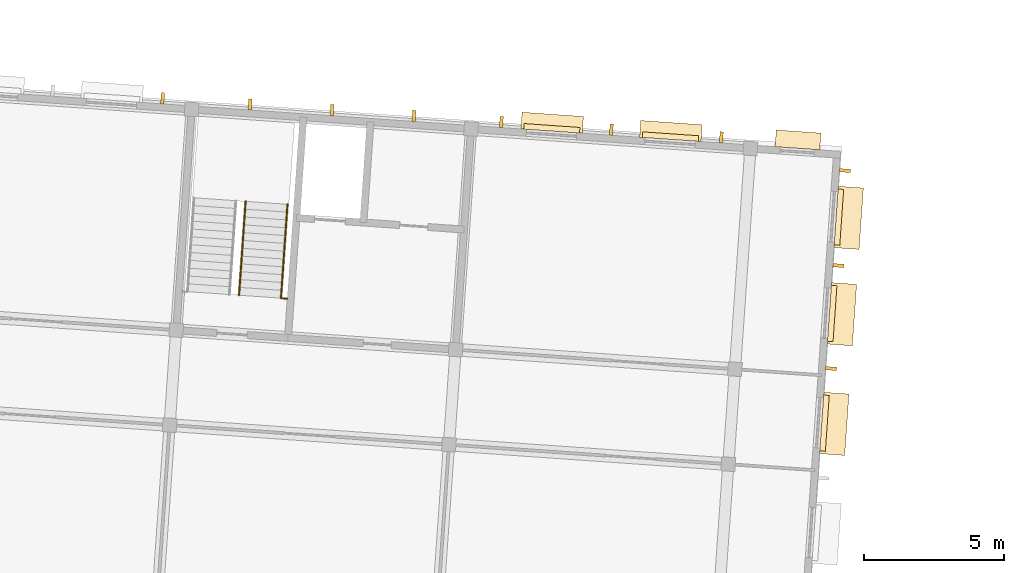
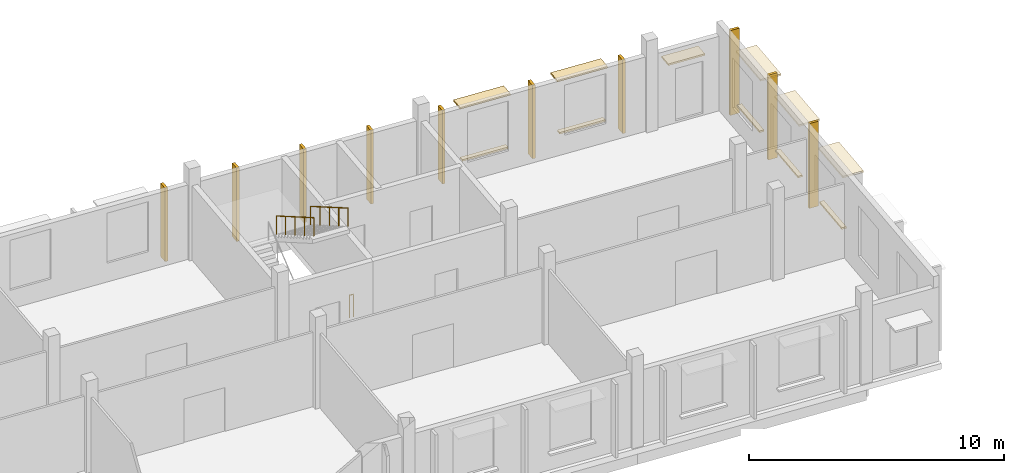
# One storey, part 57 of 58: 11 coverings, 10 shading devices, 3 railings.
"""IFC4 building model written with IfcOpenShell, lengths in metres."""

from ifc_helpers import new_model, si_unit, direction, frame, origin, origin_2d, place, context, subcontext, project, spatial, polyline, circle, outline, extrude, material, layer, layer_set, type_object, element, save


model = new_model("IFC4")

# Units and contexts
model_context = context("Model", 3, precision=1e-05, world=origin(), true_north=direction((0.0, 1.0)))
body_context = subcontext(model_context, "Body", "Model", "MODEL_VIEW")
ifc_project = project(units=[si_unit("LENGTHUNIT", "METRE"), si_unit("AREAUNIT", "SQUARE_METRE"), si_unit("VOLUMEUNIT", "CUBIC_METRE"), si_unit("PLANEANGLEUNIT", "RADIAN"), si_unit("MASSUNIT", "GRAM", prefix="KILO")], contexts=[model_context])

# Site, building, storey
site_placement = place(None, origin())
site = spatial("IfcSite", under=ifc_project, at=site_placement, CompositionType="ELEMENT")
building_placement = place(site_placement, origin())
building = spatial("IfcBuilding", under=site, at=building_placement, Name="Windward Yard Aquatics Centre", CompositionType="ELEMENT")
storey_placement = place(building_placement, frame((0.0, 0.0, 13.800048828125)))
storey = spatial("IfcBuildingStorey", under=building, at=storey_placement, Name="L03", CompositionType="ELEMENT", Elevation=13.800048828125)

# Railings
ifc_material_1 = material(Name="Stainless steel 1.4529", Category="steel")
railing_type_1 = type_object("IfcRailingType", Name="W guard 1100", PredefinedType="GUARDRAIL", material=ifc_material_1)
railing_placement = place(storey_placement, frame((152.3427734375, 126.48583984375, 0.0)))
element("IfcRailing", 1, at=railing_placement, inside=storey, type_object=railing_type_1, Name="W.GS.E.L03.2", PredefinedType="GUARDRAIL", context=body_context, shape_type="SweptSolid", body=[
    extrude(circle(Radius=0.02392578125, at=origin_2d()), frame((0.0, 0.0, 1.076171875), z_axis=(0.997563824095, -0.069759707979, 0.0), x_axis=(0.069759707979, 0.997563824095, 0.0)), (0.0, 0.0, 1.0), 0.175048828125),
    extrude(circle(Radius=0.02099609375, at=origin_2d()), origin(), (0.0, 0.0, 1.0), 1.052001953125),
    extrude(circle(Radius=0.02099609375, at=origin_2d()), frame((0.174560546875, -0.01220703125, 0.0)), (0.0, 0.0, 1.0), 1.052001953125),
])
ifc_material_2 = material(Name="Stainless steel 1.4401", Category="steel")
railing_type_2 = type_object("IfcRailingType", Name="W handrail 900", PredefinedType="HANDRAIL", material=ifc_material_2)
for number, where, name in (
    (2, (151.03076171875, 129.94580078125, 2.369140625), "W.HR.E.L03.2L"),
    (3, (152.527099609375, 129.841064453125, 2.369140625), "W.HR.E.L03.2R"),
):
    element("IfcRailing", number, at=place(storey_placement, frame(where)), inside=storey, type_object=railing_type_2, Name=name, PredefinedType="HANDRAIL", context=body_context, shape_type="SweptSolid", body=[
        extrude(circle(Radius=0.02392578125, at=origin_2d()), frame((0.0, 0.0, 0.8759765625), z_axis=(-0.05969805655, -0.853744394147, 0.517258785819), x_axis=(0.997564177681, -0.06975465151, 0.0)), (0.0, 0.0, 1.0), 3.926025390625),
        extrude(circle(Radius=0.02099609375, at=origin_2d()), origin(), (0.0, 0.0, 1.0), 0.851806640625),
        extrude(circle(Radius=0.02099609375, at=origin_2d()), frame((-0.05859375, -0.837890625, 0.5078125)), (0.0, 0.0, 1.0), 0.851806640625),
        extrude(circle(Radius=0.02099609375, at=origin_2d()), frame((-0.1171875, -1.67578125, 1.015380859375)), (0.0, 0.0, 1.0), 0.851806640625),
        extrude(circle(Radius=0.02099609375, at=origin_2d()), frame((-0.17578125, -2.513916015625, 1.52294921875)), (0.0, 0.0, 1.0), 0.851806640625),
        extrude(circle(Radius=0.02099609375, at=origin_2d()), frame((-0.234375, -3.351806640625, 2.03076171875)), (0.0, 0.0, 1.0), 0.851806640625),
    ])

# Shading devices
ifc_material_3 = material(Name="Timber-look aluminium batten, powder coated", Category="wood")
shading_device_type = type_object("IfcShadingDeviceType", Name="W vertical fin 120x400", PredefinedType="USERDEFINED", material=ifc_material_3)
shading_device_1_placement = place(storey_placement, origin())
element("IfcShadingDevice", 4, at=shading_device_1_placement, inside=storey, type_object=shading_device_type, Name="Vertical fin W.FW.L03.E.0.3.4.1", ObjectType="FIN", PredefinedType="USERDEFINED", context=body_context, shape_type="SweptSolid", body=[
    extrude(outline(polyline([(171.736572265625, 123.92919921875), (171.7451171875, 124.049072265625), (172.14404296875, 124.02099609375), (172.135498046875, 123.9013671875), (171.736572265625, 123.92919921875)])), origin(), (0.0, 0.0, 1.0), 4.070068359375),
])
shading_device_2_placement = place(storey_placement, origin())
element("IfcShadingDevice", 5, at=shading_device_2_placement, inside=storey, type_object=shading_device_type, Name="Vertical fin W.FW.L03.E.0.3.5.1", ObjectType="FIN", PredefinedType="USERDEFINED", context=body_context, shape_type="SweptSolid", body=[
    extrude(outline(polyline([(171.993896484375, 127.60791015625), (172.002197265625, 127.7275390625), (172.401123046875, 127.69970703125), (172.392822265625, 127.579833984375), (171.993896484375, 127.60791015625)])), origin(), (0.0, 0.0, 1.0), 4.070068359375),
])
shading_device_3_placement = place(storey_placement, origin())
element("IfcShadingDevice", 6, at=shading_device_3_placement, inside=storey, type_object=shading_device_type, Name="Vertical fin W.FW.L03.E.0.3.6.1", ObjectType="FIN", PredefinedType="USERDEFINED", context=body_context, shape_type="SweptSolid", body=[
    extrude(outline(polyline([(172.23095703125, 130.99951171875), (172.239501953125, 131.119140625), (172.638427734375, 131.09130859375), (172.6298828125, 130.9716796875), (172.23095703125, 130.99951171875)])), origin(), (0.0, 0.0, 1.0), 4.070068359375),
])
shading_device_4_placement = place(storey_placement, origin())
element("IfcShadingDevice", 7, at=shading_device_4_placement, inside=storey, type_object=shading_device_type, Name="Vertical fin W.FW.L03.N.66.8.3.1", ObjectType="FIN", PredefinedType="USERDEFINED", context=body_context, shape_type="SweptSolid", body=[
    extrude(outline(polyline([(147.994140625, 133.43115234375), (148.11376953125, 133.422607421875), (148.1416015625, 133.82177734375), (148.02197265625, 133.830078125), (147.994140625, 133.43115234375)])), origin(), (0.0, 0.0, 1.0), 3.52001953125),
])
shading_device_5_placement = place(storey_placement, origin())
element("IfcShadingDevice", 8, at=shading_device_5_placement, inside=storey, type_object=shading_device_type, Name="Vertical fin W.FW.L03.N.76.8.1.1", ObjectType="FIN", PredefinedType="USERDEFINED", context=body_context, shape_type="SweptSolid", body=[
    extrude(outline(polyline([(151.115478515625, 133.212890625), (151.2353515625, 133.204345703125), (151.26318359375, 133.603515625), (151.1435546875, 133.61181640625), (151.115478515625, 133.212890625)])), origin(), (0.0, 0.0, 1.0), 3.52001953125),
])
shading_device_6_placement = place(storey_placement, origin())
element("IfcShadingDevice", 9, at=shading_device_6_placement, inside=storey, type_object=shading_device_type, Name="Vertical fin W.FW.L03.N.76.8.1.2", ObjectType="FIN", PredefinedType="USERDEFINED", context=body_context, shape_type="SweptSolid", body=[
    extrude(outline(polyline([(154.041748046875, 133.008056640625), (154.16162109375, 132.999755859375), (154.189453125, 133.398681640625), (154.069580078125, 133.4072265625), (154.041748046875, 133.008056640625)])), origin(), (0.0, 0.0, 1.0), 3.52001953125),
])
shading_device_7_placement = place(storey_placement, origin())
element("IfcShadingDevice", 10, at=shading_device_7_placement, inside=storey, type_object=shading_device_type, Name="Vertical fin W.FW.L03.N.76.8.1.3", ObjectType="FIN", PredefinedType="USERDEFINED", context=body_context, shape_type="SweptSolid", body=[
    extrude(outline(polyline([(156.968017578125, 132.803466796875), (157.087646484375, 132.795166015625), (157.115478515625, 133.194091796875), (156.995849609375, 133.202392578125), (156.968017578125, 132.803466796875)])), origin(), (0.0, 0.0, 1.0), 3.52001953125),
])
shading_device_8_placement = place(storey_placement, origin())
element("IfcShadingDevice", 11, at=shading_device_8_placement, inside=storey, type_object=shading_device_type, Name="Vertical fin W.FW.L03.N.86.8.1.1", ObjectType="FIN", PredefinedType="USERDEFINED", context=body_context, shape_type="SweptSolid", body=[
    extrude(outline(polyline([(160.089599609375, 132.585205078125), (160.209228515625, 132.576904296875), (160.237060546875, 132.97607421875), (160.117431640625, 132.984375), (160.089599609375, 132.585205078125)])), origin(), (0.0, 0.0, 1.0), 3.52001953125),
])
shading_device_9_placement = place(storey_placement, origin())
element("IfcShadingDevice", 12, at=shading_device_9_placement, inside=storey, type_object=shading_device_type, Name="Vertical fin W.FW.L03.N.86.8.2.1", ObjectType="FIN", PredefinedType="USERDEFINED", context=body_context, shape_type="SweptSolid", body=[
    extrude(outline(polyline([(164.017333984375, 132.310546875), (164.13720703125, 132.30224609375), (164.1650390625, 132.701416015625), (164.04541015625, 132.709716796875), (164.017333984375, 132.310546875)])), origin(), (0.0, 0.0, 1.0), 3.52001953125),
])
shading_device_10_placement = place(storey_placement, origin())
element("IfcShadingDevice", 13, at=shading_device_10_placement, inside=storey, type_object=shading_device_type, Name="Vertical fin W.FW.L03.N.86.8.3.1", ObjectType="FIN", PredefinedType="USERDEFINED", context=body_context, shape_type="SweptSolid", body=[
    extrude(outline(polyline([(167.9453125, 132.035888671875), (168.06494140625, 132.027587890625), (168.093017578125, 132.426513671875), (167.97314453125, 132.43505859375), (167.9453125, 132.035888671875)])), origin(), (0.0, 0.0, 1.0), 3.52001953125),
])

# Coverings
ifc_material_4 = material(Name="Aluminium composite hood, powder coated", Category="aluminium")
ifc_layer_1 = layer(ifc_material_4, 0.080078125)
ifc_layer_set_1 = layer_set([ifc_layer_1], Name="W window hood aluminium 1600x600")
covering_type_1 = type_object("IfcCoveringType", Name="W window hood aluminium 1600x600", PredefinedType="CLADDING", material=ifc_layer_set_1)
covering_1_placement = place(storey_placement, frame((0.0, 0.0, 2.64990234375)))
element("IfcCovering", 14, at=covering_1_placement, inside=storey, type_object=covering_type_1, Name="Window hood W3516", PredefinedType="CLADDING", context=body_context, shape_type="SweptSolid", body=[
    extrude(outline(polyline([(169.93798828125, 131.896484375), (171.5341796875, 131.784912109375), (171.575927734375, 132.383544921875), (169.979736328125, 132.4951171875), (169.93798828125, 131.896484375)])), origin(), (0.0, 0.0, 1.0), 0.080078125),
])
ifc_layer_2 = layer(ifc_material_4, 0.080078125)
ifc_layer_set_2 = layer_set([ifc_layer_2], Name="W window hood aluminium 2200x600")
covering_type_2 = type_object("IfcCoveringType", Name="W window hood aluminium 2200x600", PredefinedType="CLADDING", material=ifc_layer_set_2)
covering_2_placement = place(storey_placement, frame((0.0, 0.0, 3.349853515625)))
element("IfcCovering", 15, at=covering_2_placement, inside=storey, type_object=covering_type_2, Name="Window hood W3514", PredefinedType="CLADDING", context=body_context, shape_type="SweptSolid", body=[
    extrude(outline(polyline([(160.860107421875, 132.531494140625), (163.0546875, 132.3779296875), (163.0966796875, 132.9765625), (160.902099609375, 133.1298828125), (160.860107421875, 132.531494140625)])), origin(), (0.0, 0.0, 1.0), 0.080078125),
])
covering_3_placement = place(storey_placement, frame((0.0, 0.0, 3.349853515625)))
element("IfcCovering", 16, at=covering_3_placement, inside=storey, type_object=covering_type_2, Name="Window hood W3515", PredefinedType="CLADDING", context=body_context, shape_type="SweptSolid", body=[
    extrude(outline(polyline([(165.099853515625, 132.23486328125), (167.29443359375, 132.08154296875), (167.336181640625, 132.679931640625), (165.1416015625, 132.83349609375), (165.099853515625, 132.23486328125)])), origin(), (0.0, 0.0, 1.0), 0.080078125),
])
ifc_layer_3 = layer(ifc_material_4, 0.080078125)
ifc_layer_set_3 = layer_set([ifc_layer_3], Name="W window hood aluminium 2200x900")
covering_type_3 = type_object("IfcCoveringType", Name="W window hood aluminium 2200x900", PredefinedType="CLADDING", material=ifc_layer_set_3)
covering_4_placement = place(storey_placement, frame((0.0, 0.0, 3.349853515625)))
element("IfcCovering", 17, at=covering_4_placement, inside=storey, type_object=covering_type_3, Name="Window hood W3519", PredefinedType="CLADDING", context=body_context, shape_type="SweptSolid", body=[
    extrude(outline(polyline([(171.527099609375, 120.93408203125), (171.6806640625, 123.128662109375), (172.578369140625, 123.06591796875), (172.425048828125, 120.871337890625), (171.527099609375, 120.93408203125)])), origin(), (0.0, 0.0, 1.0), 0.080078125),
])
covering_5_placement = place(storey_placement, frame((0.0, 0.0, 3.349853515625)))
element("IfcCovering", 18, at=covering_5_placement, inside=storey, type_object=covering_type_3, Name="Window hood W3520", PredefinedType="CLADDING", context=body_context, shape_type="SweptSolid", body=[
    extrude(outline(polyline([(171.801025390625, 124.849609375), (171.954345703125, 127.044189453125), (172.852294921875, 126.9814453125), (172.69873046875, 124.78662109375), (171.801025390625, 124.849609375)])), origin(), (0.0, 0.0, 1.0), 0.080078125),
])
covering_6_placement = place(storey_placement, frame((0.0, 0.0, 3.349853515625)))
element("IfcCovering", 19, at=covering_6_placement, inside=storey, type_object=covering_type_3, Name="Window hood W3521", PredefinedType="CLADDING", context=body_context, shape_type="SweptSolid", body=[
    extrude(outline(polyline([(172.04150390625, 128.291015625), (172.195068359375, 130.485595703125), (173.093017578125, 130.423095703125), (172.939453125, 128.228271484375), (172.04150390625, 128.291015625)])), origin(), (0.0, 0.0, 1.0), 0.080078125),
])
ifc_material_5 = material(Name="Limestone sill", Category="masonry")
ifc_layer_4 = layer(ifc_material_5, 0.080078125)
ifc_layer_set_4 = layer_set([ifc_layer_4], Name="W window sill stone 2000x200")
covering_type_4 = type_object("IfcCoveringType", Name="W window sill stone 2000x200", PredefinedType="CLADDING", material=ifc_layer_set_4)
covering_7_placement = place(storey_placement, frame((0.0, 0.0, 0.820068359375)))
element("IfcCovering", 20, at=covering_7_placement, inside=storey, type_object=covering_type_4, Name="Window sill W3519", PredefinedType="CLADDING", context=body_context, shape_type="SweptSolid", body=[
    extrude(outline(polyline([(171.5341796875, 121.03369140625), (171.673583984375, 123.029052734375), (171.873291015625, 123.014892578125), (171.733642578125, 121.02001953125), (171.5341796875, 121.03369140625)])), origin(), (0.0, 0.0, 1.0), 0.079833984375),
])
covering_8_placement = place(storey_placement, frame((0.0, 0.0, 0.820068359375)))
element("IfcCovering", 21, at=covering_8_placement, inside=storey, type_object=covering_type_4, Name="Window sill W3520", PredefinedType="CLADDING", context=body_context, shape_type="SweptSolid", body=[
    extrude(outline(polyline([(171.807861328125, 124.94921875), (171.947509765625, 126.9443359375), (172.14697265625, 126.930419921875), (172.007568359375, 124.935302734375), (171.807861328125, 124.94921875)])), origin(), (0.0, 0.0, 1.0), 0.079833984375),
])
covering_9_placement = place(storey_placement, frame((0.0, 0.0, 0.820068359375)))
element("IfcCovering", 22, at=covering_9_placement, inside=storey, type_object=covering_type_4, Name="Window sill W3521", PredefinedType="CLADDING", context=body_context, shape_type="SweptSolid", body=[
    extrude(outline(polyline([(172.048583984375, 128.390869140625), (172.18798828125, 130.385986328125), (172.3876953125, 130.3720703125), (172.248046875, 128.376953125), (172.048583984375, 128.390869140625)])), origin(), (0.0, 0.0, 1.0), 0.079833984375),
])
covering_10_placement = place(storey_placement, frame((0.0, 0.0, 0.820068359375)))
element("IfcCovering", 23, at=covering_10_placement, inside=storey, type_object=covering_type_4, Name="Window sill W3514", PredefinedType="CLADDING", context=body_context, shape_type="SweptSolid", body=[
    extrude(outline(polyline([(160.9599609375, 132.5244140625), (162.955078125, 132.385009765625), (162.968994140625, 132.58447265625), (160.973876953125, 132.72412109375), (160.9599609375, 132.5244140625)])), origin(), (0.0, 0.0, 1.0), 0.079833984375),
])
covering_11_placement = place(storey_placement, frame((0.0, 0.0, 0.820068359375)))
element("IfcCovering", 24, at=covering_11_placement, inside=storey, type_object=covering_type_4, Name="Window sill W3515", PredefinedType="CLADDING", context=body_context, shape_type="SweptSolid", body=[
    extrude(outline(polyline([(165.199462890625, 132.22802734375), (167.194580078125, 132.08837890625), (167.20849609375, 132.2880859375), (165.21337890625, 132.427490234375), (165.199462890625, 132.22802734375)])), origin(), (0.0, 0.0, 1.0), 0.079833984375),
])

save(model, "model.ifc")
